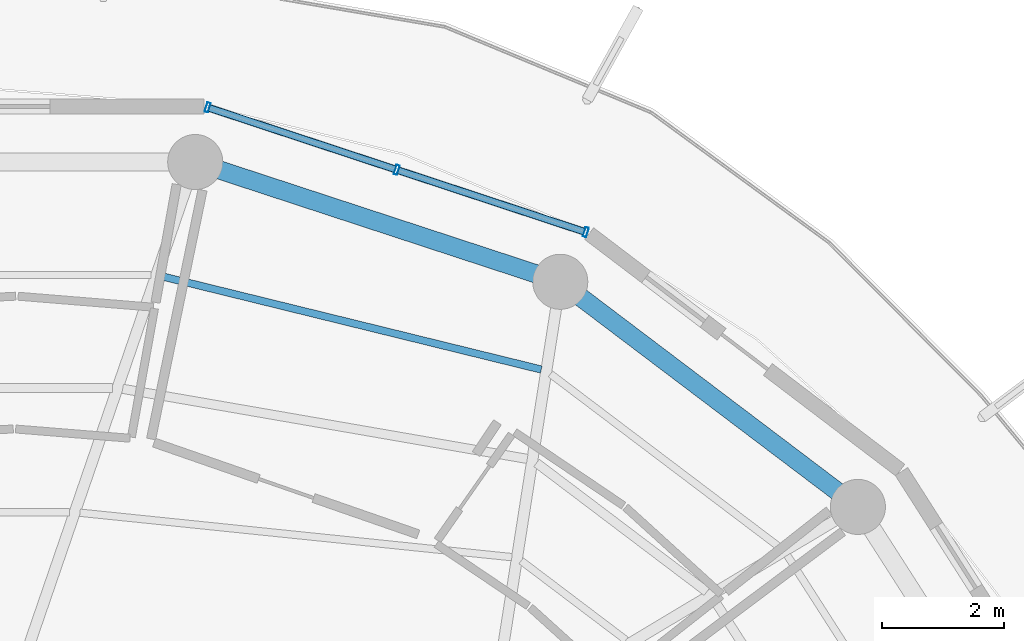
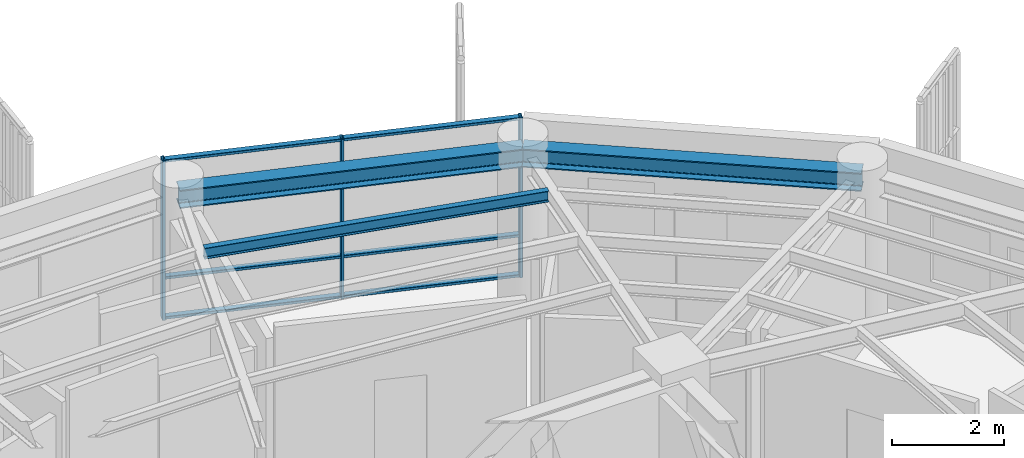
# One storey, part 14 of 23: 9 members, 3 beams, 1 element without a shape of its own.
"""IFC4 building model written with IfcOpenShell, lengths in metres."""

from ifc_helpers import new_model, si_unit, direction, frame, origin, origin_2d, place, context, subcontext, project, spatial, hollow_rectangle, i_section, extrude, material, layer, layer_set, material_profile, profile_set, type_object, element, aggregate, save


model = new_model("IFC4")

# Units and contexts
model_context = context("Model", 3, precision=1e-05, world=origin(), true_north=direction((0.0, 1.0)))
body_context = subcontext(model_context, "Body", "Model", "MODEL_VIEW")
ifc_project = project(units=[si_unit("LENGTHUNIT", "METRE"), si_unit("AREAUNIT", "SQUARE_METRE"), si_unit("VOLUMEUNIT", "CUBIC_METRE"), si_unit("PLANEANGLEUNIT", "RADIAN"), si_unit("MASSUNIT", "GRAM", prefix="KILO")], contexts=[model_context])

# Site, building, storey
site_placement = place(None, origin())
site = spatial("IfcSite", under=ifc_project, at=site_placement, CompositionType="ELEMENT")
building_placement = place(site_placement, origin())
building = spatial("IfcBuilding", under=site, at=building_placement, Name="Kelanora Arch Commons", CompositionType="ELEMENT")
storey_placement = place(building_placement, frame((0.0, 0.0, 252.449951171875)))
storey = spatial("IfcBuildingStorey", under=building, at=storey_placement, Name="L64", CompositionType="ELEMENT", Elevation=252.449951171875)

# Beams
ifc_material_1 = material(Name="Steel S355", Category="steel")
ifc_material_profile_1 = material_profile(ifc_material_1, i_section(OverallWidth=0.1201171875, OverallDepth=0.239990234375, WebThickness=0.006103515625, FlangeThickness=0.009765625, FilletRadius=0.014892578125, at=origin_2d()), Name="IPE240")
ifc_profile_set_1 = profile_set([ifc_material_profile_1], Name="Steel S355")
beam_type_1 = type_object("IfcBeamType", Name="BM-JST-02", PredefinedType="JOIST", material=ifc_profile_set_1)
beam_1_placement = place(storey_placement, frame((82.82958984375, 70.837890625, 3.3701171875), z_axis=(-0.971109719488, 0.23863342749, 0.0), x_axis=(-0.23863342749, -0.971109719488, 0.0)))
element("IfcBeam", 1, at=beam_1_placement, inside=storey, type_object=beam_type_1, Name="Secondary Chord Joist BJC-06 L64", PredefinedType="JOIST", context=body_context, shape_type="SweptSolid", body=[
    extrude(i_section(OverallWidth=0.1201171875, OverallDepth=0.239990234375, WebThickness=0.006103515625, FlangeThickness=0.009765625, FilletRadius=0.014892578125, at=origin_2d()), origin(), (0.0, 0.0, 1.0), 6.39208984375),
])
ifc_material_profile_2 = material_profile(ifc_material_1, i_section(OverallWidth=0.300048828125, OverallDepth=0.39990234375, WebThickness=0.013427734375, FlangeThickness=0.02392578125, FilletRadius=0.027099609375, at=origin_2d()), Name="HEB400")
ifc_profile_set_2 = profile_set([ifc_material_profile_2], Name="Steel S355")
beam_type_2 = type_object("IfcBeamType", Name="BM-SPN-Z4", PredefinedType="SPANDREL", material=ifc_profile_set_2)
beam_2_placement = place(storey_placement, frame((88.00341796875, 68.593017578125, 3.2900390625), z_axis=(-0.797509460967, 0.603306439273, 0.0), x_axis=(-0.603306439273, -0.797509460967, 0.0)))
element("IfcBeam", 2, at=beam_2_placement, inside=storey, type_object=beam_type_2, Name="Perimeter Spandrel Beam BS-04 L64", PredefinedType="SPANDREL", context=body_context, shape_type="SweptSolid", body=[
    extrude(i_section(OverallWidth=0.300048828125, OverallDepth=0.39990234375, WebThickness=0.013427734375, FlangeThickness=0.02392578125, FilletRadius=0.027099609375, at=origin_2d()), origin(), (0.0, 0.0, 1.0), 6.098388671875),
])
beam_3_placement = place(storey_placement, frame((83.139892578125, 72.272216796875, 3.2900390625), z_axis=(-0.950165923039, 0.311744636996, 0.0), x_axis=(-0.311744636996, -0.950165923039, 0.0)))
element("IfcBeam", 3, at=beam_3_placement, inside=storey, type_object=beam_type_2, Name="Perimeter Spandrel Beam BS-06 L64", PredefinedType="SPANDREL", context=body_context, shape_type="SweptSolid", body=[
    extrude(i_section(OverallWidth=0.300048828125, OverallDepth=0.39990234375, WebThickness=0.013427734375, FlangeThickness=0.02392578125, FilletRadius=0.027099609375, at=origin_2d()), origin(), (0.0, 0.0, 1.0), 6.278564453125),
])

# Curtain wall, members
ifc_material_2 = material(Name="Terracotta ceramic-fritted low-E glass and aluminium", Category="masonry")
ifc_layer = layer(ifc_material_2, 0.18994140625)
ifc_layer_set = layer_set([ifc_layer], Name="Terracotta ceramic-fritted low-E glass and aluminium")
curtain_wall_type = type_object("IfcCurtainWallType", Name="CW-SYS-03", PredefinedType="NOTDEFINED", material=ifc_layer_set)
curtain_wall_placement = place(storey_placement, origin())
curtain_wall = element("IfcCurtainWall", 4, at=curtain_wall_placement, inside=storey, type_object=curtain_wall_type, Name="Unitised Curtain Wall L64-B03", PredefinedType="NOTDEFINED")
ifc_material_3 = material(Name="Powder-coated aluminium terracotta", Category="masonry")
ifc_material_profile_3 = material_profile(ifc_material_3, hollow_rectangle(XDim=0.159912109375, YDim=0.06005859375, WallThickness=0.0048828125, InnerFilletRadius=0.0048828125, OuterFilletRadius=0.010009765625, at=origin_2d()), Name="CWM160x60")
ifc_profile_set_3 = profile_set([ifc_material_profile_3], Name="Powder-coated aluminium terracotta")
member_type_1 = type_object("IfcMemberType", Name="CWM-STD", PredefinedType="MULLION", material=ifc_profile_set_3)
member_1_placement = place(storey_placement, frame((83.557373046875, 73.0830078125, 0.0), z_axis=(0.0, 0.0, 1.0), x_axis=(-0.313252785344, -0.949669780752, 0.0)))
member_1 = element("IfcMember", 5, at=member_1_placement, type_object=member_type_1, Name="CW-03 mullion 1", PredefinedType="MULLION", context=body_context, shape_type="SweptSolid", body=[
    extrude(hollow_rectangle(XDim=0.159912109375, YDim=0.06005859375, WallThickness=0.0048828125, InnerFilletRadius=0.0048828125, OuterFilletRadius=0.010009765625, at=origin_2d()), origin(), (0.0, 0.0, 1.0), 3.47509765625),
])
member_2_placement = place(storey_placement, frame((80.467041015625, 74.102294921875, 0.0), z_axis=(0.0, 0.0, 1.0), x_axis=(-0.313252785344, -0.949669780752, 0.0)))
member_2 = element("IfcMember", 6, at=member_2_placement, type_object=member_type_1, Name="CW-03 mullion 2", PredefinedType="MULLION", context=body_context, shape_type="SweptSolid", body=[
    extrude(hollow_rectangle(XDim=0.159912109375, YDim=0.06005859375, WallThickness=0.0048828125, InnerFilletRadius=0.0048828125, OuterFilletRadius=0.010009765625, at=origin_2d()), origin(), (0.0, 0.0, 1.0), 3.47509765625),
])
member_3_placement = place(storey_placement, frame((77.376708984375, 75.12158203125, 0.0), z_axis=(0.0, 0.0, 1.0), x_axis=(-0.313252785344, -0.949669780752, 0.0)))
member_3 = element("IfcMember", 7, at=member_3_placement, type_object=member_type_1, Name="CW-03 mullion 3", PredefinedType="MULLION", context=body_context, shape_type="SweptSolid", body=[
    extrude(hollow_rectangle(XDim=0.159912109375, YDim=0.06005859375, WallThickness=0.0048828125, InnerFilletRadius=0.0048828125, OuterFilletRadius=0.010009765625, at=origin_2d()), origin(), (0.0, 0.0, 1.0), 3.47509765625),
])
ifc_material_profile_4 = material_profile(ifc_material_3, hollow_rectangle(XDim=0.1201171875, YDim=0.06005859375, WallThickness=0.0048828125, InnerFilletRadius=0.0048828125, OuterFilletRadius=0.010009765625, at=origin_2d()), Name="CWT120x60")
ifc_profile_set_4 = profile_set([ifc_material_profile_4], Name="Powder-coated aluminium terracotta")
member_type_2 = type_object("IfcMemberType", Name="CWT-STD", PredefinedType="USERDEFINED", material=ifc_profile_set_4)
member_4_placement = place(storey_placement, frame((83.52880859375, 73.09228515625, 0.030029296875), z_axis=(-0.949672315102, 0.313245102003, 0.0), x_axis=(-0.313245102003, -0.949672315102, 0.0)))
member_4 = element("IfcMember", 8, at=member_4_placement, type_object=member_type_2, Name="CW-03 transom 1.1", ObjectType="TRANSOM", PredefinedType="USERDEFINED", context=body_context, shape_type="SweptSolid", body=[
    extrude(hollow_rectangle(XDim=0.1201171875, YDim=0.06005859375, WallThickness=0.0048828125, InnerFilletRadius=0.0048828125, OuterFilletRadius=0.010009765625, at=origin_2d()), origin(), (0.0, 0.0, 1.0), 3.19384765625),
])
member_5_placement = place(storey_placement, frame((83.52880859375, 73.09228515625, 0.900146484375), z_axis=(-0.949672315102, 0.313245102003, 0.0), x_axis=(-0.313245102003, -0.949672315102, 0.0)))
member_5 = element("IfcMember", 9, at=member_5_placement, type_object=member_type_2, Name="CW-03 transom 1.2", ObjectType="TRANSOM", PredefinedType="USERDEFINED", context=body_context, shape_type="SweptSolid", body=[
    extrude(hollow_rectangle(XDim=0.1201171875, YDim=0.06005859375, WallThickness=0.0048828125, InnerFilletRadius=0.0048828125, OuterFilletRadius=0.010009765625, at=origin_2d()), origin(), (0.0, 0.0, 1.0), 3.19384765625),
])
member_6_placement = place(storey_placement, frame((83.52880859375, 73.09228515625, 3.445068359375), z_axis=(-0.949672315102, 0.313245102003, 0.0), x_axis=(-0.313245102003, -0.949672315102, 0.0)))
member_6 = element("IfcMember", 10, at=member_6_placement, type_object=member_type_2, Name="CW-03 transom 1.3", ObjectType="TRANSOM", PredefinedType="USERDEFINED", context=body_context, shape_type="SweptSolid", body=[
    extrude(hollow_rectangle(XDim=0.1201171875, YDim=0.06005859375, WallThickness=0.0048828125, InnerFilletRadius=0.0048828125, OuterFilletRadius=0.010009765625, at=origin_2d()), origin(), (0.0, 0.0, 1.0), 3.19384765625),
])
member_7_placement = place(storey_placement, frame((80.4384765625, 74.111572265625, 0.030029296875), z_axis=(-0.949649574195, 0.313314037719, 0.0), x_axis=(-0.313314037719, -0.949649574195, 0.0)))
member_7 = element("IfcMember", 11, at=member_7_placement, type_object=member_type_2, Name="CW-03 transom 2.1", ObjectType="TRANSOM", PredefinedType="USERDEFINED", context=body_context, shape_type="SweptSolid", body=[
    extrude(hollow_rectangle(XDim=0.1201171875, YDim=0.06005859375, WallThickness=0.0048828125, InnerFilletRadius=0.0048828125, OuterFilletRadius=0.010009765625, at=origin_2d()), origin(), (0.0, 0.0, 1.0), 3.194091796875),
])
member_8_placement = place(storey_placement, frame((80.4384765625, 74.111572265625, 0.900146484375), z_axis=(-0.949649574195, 0.313314037719, 0.0), x_axis=(-0.313314037719, -0.949649574195, 0.0)))
member_8 = element("IfcMember", 12, at=member_8_placement, type_object=member_type_2, Name="CW-03 transom 2.2", ObjectType="TRANSOM", PredefinedType="USERDEFINED", context=body_context, shape_type="SweptSolid", body=[
    extrude(hollow_rectangle(XDim=0.1201171875, YDim=0.06005859375, WallThickness=0.0048828125, InnerFilletRadius=0.0048828125, OuterFilletRadius=0.010009765625, at=origin_2d()), origin(), (0.0, 0.0, 1.0), 3.194091796875),
])
member_9_placement = place(storey_placement, frame((80.4384765625, 74.111572265625, 3.445068359375), z_axis=(-0.949649574195, 0.313314037719, 0.0), x_axis=(-0.313314037719, -0.949649574195, 0.0)))
member_9 = element("IfcMember", 13, at=member_9_placement, type_object=member_type_2, Name="CW-03 transom 2.3", ObjectType="TRANSOM", PredefinedType="USERDEFINED", context=body_context, shape_type="SweptSolid", body=[
    extrude(hollow_rectangle(XDim=0.1201171875, YDim=0.06005859375, WallThickness=0.0048828125, InnerFilletRadius=0.0048828125, OuterFilletRadius=0.010009765625, at=origin_2d()), origin(), (0.0, 0.0, 1.0), 3.194091796875),
])
aggregate(curtain_wall, [member_1, member_2, member_3, member_4, member_5, member_6, member_7, member_8, member_9])

save(model, "model.ifc")
